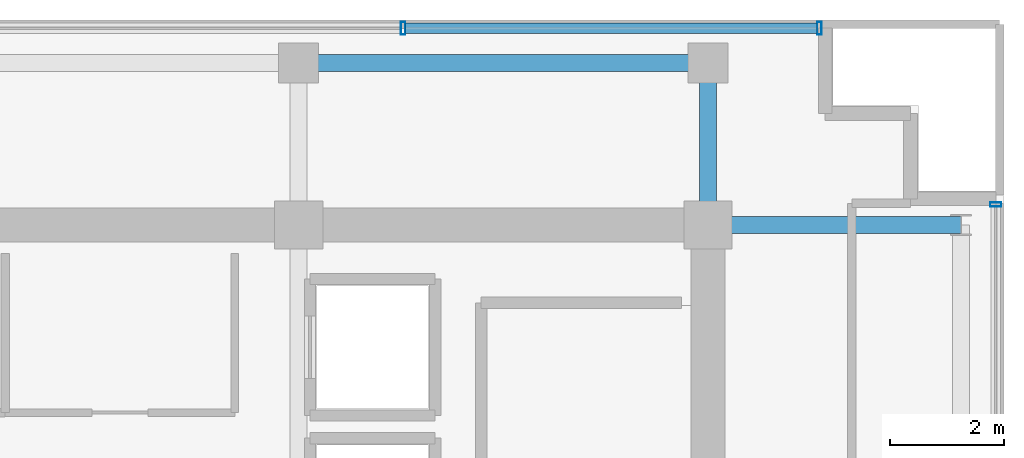
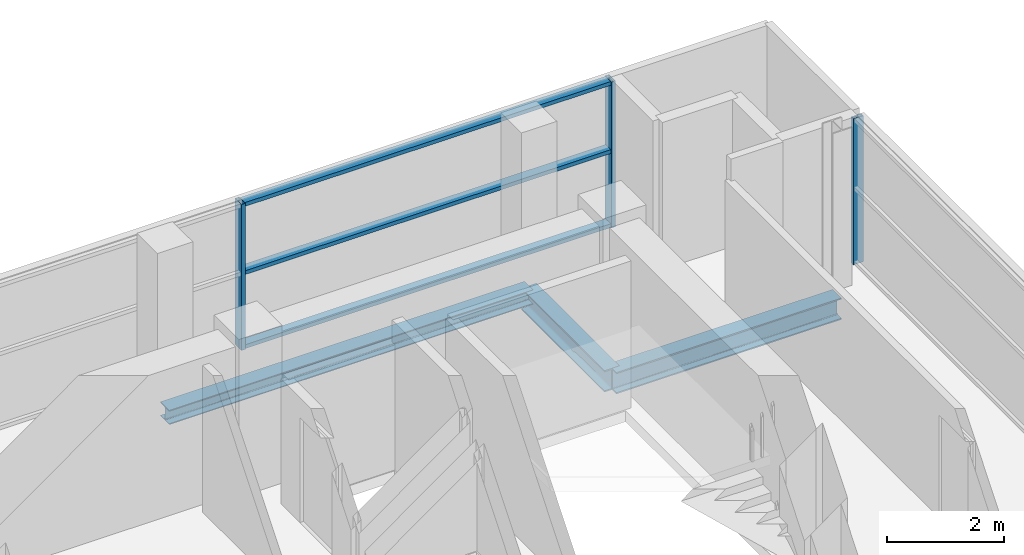
# One storey, part 13 of 22: 6 members, 3 beams, 2 elements without a shape of their own.
"""IFC4 building model written with IfcOpenShell, lengths in metres."""

import ifcopenshell
import ifcopenshell.guid

model = None  # the IFC model being written
_history = None  # IfcOwnerHistory: only IFC2X3 demands one
_inside = {}  # id of a spatial element -> (the spatial element, [elements in it])
_under = {}  # id of a project, library or spatial element -> (it, [spatial elements below it])
_declared = {}  # id of a project -> (the project, [libraries it declares])
_typed = {}  # id of a type object -> (the type object, [elements of that type])
_made_of = {}  # id of a material, layer set ... -> (it, [elements and type objects made of it])


def new_model(schema):
    """Start an empty IFC model of exactly this schema.

    Asked for "IFC4X3", IfcOpenShell would pick the latest addendum, in which some entities
    have other attributes; the version numbers below select the first issue.
    IFC2X3 requires an IfcOwnerHistory on every rooted entity: one is made here for all.
    """
    global model, _history
    if schema == "IFC4X3":
        model = ifcopenshell.file(schema_version=(4, 3, 0, 0))
    else:
        model = ifcopenshell.file(schema=schema)
    _inside.clear()
    _under.clear()
    _declared.clear()
    _typed.clear()
    _made_of.clear()
    _history = None
    if model.schema == "IFC2X3":
        org = make("IfcOrganization", Name="unknown")
        user = make(
            "IfcPersonAndOrganization",
            ThePerson=make("IfcPerson", FamilyName="unknown"),
            TheOrganization=org,
        )
        app = make(
            "IfcApplication",
            ApplicationDeveloper=org,
            Version="unknown",
            ApplicationFullName="unknown",
            ApplicationIdentifier="unknown",
        )
        _history = make(
            "IfcOwnerHistory",
            OwningUser=user,
            OwningApplication=app,
            ChangeAction="ADDED",
            CreationDate=0,
        )
    return model


def make(cls, **values):
    """One entity of the class cls with the attributes given. An attribute that is None is left unset."""
    return model.create_entity(
        cls, **{name: value for name, value in values.items() if value is not None}
    )


def rooted(cls, **values):
    """An entity with a GlobalId (a new one), such as an element, a storey or a relation."""
    return make(cls, GlobalId=ifcopenshell.guid.new(), OwnerHistory=_history, **values)


def si_unit(unit_type, name, prefix=None):
    """IfcSIUnit, for example si_unit("LENGTHUNIT", "METRE", prefix="MILLI")."""
    return make("IfcSIUnit", UnitType=unit_type, Prefix=prefix, Name=name)


def assignment(units):
    """IfcUnitAssignment: the units of a project."""
    return None if units is None else make("IfcUnitAssignment", Units=units)


def point(xyz):
    """IfcCartesianPoint."""
    return None if xyz is None else make("IfcCartesianPoint", Coordinates=xyz)


def direction(xyz):
    """IfcDirection."""
    return None if xyz is None else make("IfcDirection", DirectionRatios=xyz)


def frame(location, z_axis=None, x_axis=None):
    """IfcAxis2Placement3D, a coordinate frame: its origin and axes. An axis left out is left unset."""
    return make(
        "IfcAxis2Placement3D",
        Location=point(location),
        Axis=direction(z_axis),
        RefDirection=direction(x_axis),
    )


def frame_2d(location, x_axis=None):
    """IfcAxis2Placement2D, a coordinate frame in the plane: its origin and x axis."""
    return make(
        "IfcAxis2Placement2D", Location=point(location), RefDirection=direction(x_axis)
    )


def origin():
    """The frame at (0, 0, 0) with its axes left unset."""
    return frame((0.0, 0.0, 0.0))


def origin_2d():
    """The frame at (0, 0) in the plane with its x axis left unset."""
    return frame_2d((0.0, 0.0))


def place(relative_to, where):
    """IfcLocalPlacement: puts the frame where relative to a parent placement (None: the world)."""
    return make(
        "IfcLocalPlacement", PlacementRelTo=relative_to, RelativePlacement=where
    )


def context(
    kind, dimensions, precision=None, world=None, true_north=None, identifier=None
):
    """IfcGeometricRepresentationContext, for example the 3D "Model" context."""
    return make(
        "IfcGeometricRepresentationContext",
        ContextIdentifier=identifier,
        ContextType=kind,
        CoordinateSpaceDimension=dimensions,
        Precision=precision,
        WorldCoordinateSystem=world,
        TrueNorth=true_north,
    )


def subcontext(parent, identifier, kind, view, scale=None):
    """IfcGeometricRepresentationSubContext, for example "Body" below "Model"."""
    return make(
        "IfcGeometricRepresentationSubContext",
        ContextIdentifier=identifier,
        ContextType=kind,
        ParentContext=parent,
        TargetScale=scale,
        TargetView=view,
    )


def project(units=None, contexts=None):
    """IfcProject with its units and contexts."""
    return rooted(
        "IfcProject",
        Name="project",
        RepresentationContexts=contexts,
        UnitsInContext=assignment(units),
    )


def spatial(cls, under=None, at=None, **own):
    """A site, building, storey or space (cls), placed at a placement, below another one or the project."""
    s = rooted(cls, ObjectPlacement=at, **own)
    if under is not None:
        _under.setdefault(under.id(), (under, []))[1].append(s)
    return s


def profile(cls, at=None, kind="AREA", **sizes):
    """A parametric profile (cls). Its sizes go by their IFC names, for example OverallWidth=200.0."""
    return make(cls, ProfileType=kind, Position=at, **sizes)


def hollow_rectangle(**sizes):
    """IfcRectangleHollowProfileDef."""
    return profile("IfcRectangleHollowProfileDef", **sizes)


def i_section(**sizes):
    """IfcIShapeProfileDef."""
    return profile("IfcIShapeProfileDef", **sizes)


def extrude(swept, where, along, depth):
    """IfcExtrudedAreaSolid: the profile swept, set in the frame where, extruded along a direction by depth."""
    return make(
        "IfcExtrudedAreaSolid",
        SweptArea=swept,
        Position=where,
        ExtrudedDirection=direction(along),
        Depth=depth,
    )


def shape(context_of_items, identifier, shape_type, items):
    """IfcShapeRepresentation: the items that make up one representation, for example the "Body"."""
    return make(
        "IfcShapeRepresentation",
        ContextOfItems=context_of_items,
        RepresentationIdentifier=identifier,
        RepresentationType=shape_type,
        Items=items,
    )


def source(mapping_origin, context_of_items, identifier, shape_type, items):
    """IfcRepresentationMap: a shape defined once, which mapped items show again and again."""
    return make(
        "IfcRepresentationMap",
        MappingOrigin=mapping_origin,
        MappedRepresentation=shape(context_of_items, identifier, shape_type, items),
    )


def transform(
    local_origin,
    x_axis=None,
    y_axis=None,
    z_axis=None,
    scale=None,
    scale2=None,
    scale3=None,
    uniform=True,
):
    """IfcCartesianTransformationOperator3D, or its non-uniform kind. x_axis, y_axis, z_axis: its Axis1, 2, 3."""
    if uniform:
        return make(
            "IfcCartesianTransformationOperator3D",
            Axis1=direction(x_axis),
            Axis2=direction(y_axis),
            LocalOrigin=point(local_origin),
            Scale=scale,
            Axis3=direction(z_axis),
        )
    return make(
        "IfcCartesianTransformationOperator3DnonUniform",
        Axis1=direction(x_axis),
        Axis2=direction(y_axis),
        LocalOrigin=point(local_origin),
        Scale=scale,
        Axis3=direction(z_axis),
        Scale2=scale2,
        Scale3=scale3,
    )


def mapped(mapping_source, mapping_target):
    """IfcMappedItem: shows the shape of a source again, moved by a transform."""
    return make(
        "IfcMappedItem", MappingSource=mapping_source, MappingTarget=mapping_target
    )


def material(Name=None, Category=None):
    """IfcMaterial."""
    return make("IfcMaterial", Name=Name, Category=Category)


def layer(
    of_material, thickness, ventilated=None, Name=None, Category=None, Priority=None
):
    """IfcMaterialLayer: one layer of a wall or slab, of a material (None: an air gap)."""
    return make(
        "IfcMaterialLayer",
        Material=of_material,
        LayerThickness=thickness,
        IsVentilated=ventilated,
        Name=Name,
        Category=Category,
        Priority=Priority,
    )


def layer_set(layers, Name=None):
    """IfcMaterialLayerSet."""
    return make("IfcMaterialLayerSet", MaterialLayers=layers, LayerSetName=Name)


def material_profile(
    of_material, cross_section, Name=None, Category=None, Priority=None
):
    """IfcMaterialProfile: a cross section and its material."""
    return make(
        "IfcMaterialProfile",
        Name=Name,
        Material=of_material,
        Profile=cross_section,
        Priority=Priority,
        Category=Category,
    )


def profile_set(profiles, Name=None, composite=None):
    """IfcMaterialProfileSet."""
    return make(
        "IfcMaterialProfileSet",
        Name=Name,
        MaterialProfiles=profiles,
        CompositeProfile=composite,
    )


def made_of(thing, what):
    """Note that an element or type object is made of a material, layer set ...; save() writes the relation."""
    if what is not None:
        _made_of.setdefault(what.id(), (what, []))[1].append(thing)
    return thing


def type_object(cls, material=None, **own):
    """A type object (cls), such as IfcWallType, which elements share."""
    return made_of(rooted(cls, **own), material)


def element(
    cls,
    number,
    at=None,
    inside=None,
    cuts=None,
    type_object=None,
    material=None,
    context=None,
    identifier="Body",
    shape_type=None,
    held_by="IfcProductDefinitionShape",
    body=None,
    shapes=None,
    **own,
):
    """One element of the class cls, such as IfcWall. Its Tag is "e" and its number.

    at: its placement. inside: the storey or other place that contains it. cuts: it is an
    opening in that element (IfcRelVoidsElement). A single representation is given by context,
    identifier, shape_type and body (its items); several are given by shapes. held_by: the class
    of the entity that holds the representations. save() writes the other relations.
    """
    e = rooted(cls, Tag="e%d" % number, ObjectPlacement=at, **own)
    if body is not None:
        shapes = [shape(context, identifier, shape_type, body)]
    if shapes is not None:
        e.Representation = make(held_by, Representations=shapes)
    if inside is not None:
        _inside.setdefault(inside.id(), (inside, []))[1].append(e)
    if cuts is not None:
        rooted(
            "IfcRelVoidsElement", RelatingBuildingElement=cuts, RelatedOpeningElement=e
        )
    if type_object is not None:
        _typed.setdefault(type_object.id(), (type_object, []))[1].append(e)
    return made_of(e, material)


def aggregate(whole, parts):
    """IfcRelAggregates: a whole, such as a stair, and the parts it consists of."""
    return rooted("IfcRelAggregates", RelatingObject=whole, RelatedObjects=parts)


def save(model, path):
    """Write the relations noted so far, then the file.

    IfcRelAggregates (storeys below a building ...), IfcRelContainedInSpatialStructure (elements
    in a storey), IfcRelDefinesByType, IfcRelAssociatesMaterial and IfcRelDeclares: one each for
    every whole, place, type object, material and project.
    """
    for whole, parts in _under.values():
        aggregate(whole, parts)
    for where, things in _inside.values():
        rooted(
            "IfcRelContainedInSpatialStructure",
            RelatedElements=things,
            RelatingStructure=where,
        )
    for kind, things in _typed.values():
        rooted("IfcRelDefinesByType", RelatedObjects=things, RelatingType=kind)
    for what, things in _made_of.values():
        rooted("IfcRelAssociatesMaterial", RelatedObjects=things, RelatingMaterial=what)
    for by, libraries in _declared.values():
        rooted("IfcRelDeclares", RelatingContext=by, RelatedDefinitions=libraries)
    model.write(path)


model = new_model("IFC4")

# Units and contexts
model_context = context("Model", 3, precision=1e-05, world=origin(), true_north=direction((0.0, 1.0)))
body_context = subcontext(model_context, "Body", "Model", "MODEL_VIEW")
ifc_project = project(units=[si_unit("LENGTHUNIT", "METRE"), si_unit("AREAUNIT", "SQUARE_METRE"), si_unit("VOLUMEUNIT", "CUBIC_METRE"), si_unit("PLANEANGLEUNIT", "RADIAN"), si_unit("MASSUNIT", "GRAM", prefix="KILO")], contexts=[model_context])

# Site, building, storey
site_placement = place(None, origin())
site = spatial("IfcSite", under=ifc_project, at=site_placement, CompositionType="ELEMENT")
building_placement = place(site_placement, origin())
building = spatial("IfcBuilding", under=site, at=building_placement, Name="Zarnakvel Exchange Tower", CompositionType="ELEMENT")
storey_placement = place(building_placement, frame((0.0, 0.0, 222.10009765625)))
storey = spatial("IfcBuildingStorey", under=building, at=storey_placement, Name="L62", CompositionType="ELEMENT", Elevation=222.10009765625)

# Beams
ifc_material_1 = material(Name="Steel S355", Category="steel")
ifc_material_profile_1 = material_profile(ifc_material_1, i_section(OverallWidth=0.300048828125, OverallDepth=0.449951171875, WebThickness=0.013916015625, FlangeThickness=0.02587890625, FilletRadius=0.027099609375, at=origin_2d()))
ifc_profile_set_1 = profile_set([ifc_material_profile_1], Name="Steel S355")
beam_type_1 = type_object("IfcBeamType", Name="G-07", PredefinedType="BEAM", material=ifc_profile_set_1)
beam_1_placement = place(storey_placement, frame((14.39990234375, 13.5, -0.4501953125), z_axis=(1.0, 0.0, 0.0), x_axis=(0.0, 1.0, 0.0)))
element("IfcBeam", 1, at=beam_1_placement, inside=storey, type_object=beam_type_1, Name="L62 Tower E-W Frame Beam", PredefinedType="BEAM", context=body_context, shape_type="SweptSolid", body=[
    extrude(i_section(OverallWidth=0.300048828125, OverallDepth=0.449951171875, WebThickness=0.013916015625, FlangeThickness=0.02587890625, FilletRadius=0.027099609375, at=origin_2d()), origin(), (0.0, 0.0, 1.0), 4.4501953125),
])
beam_2_placement = place(storey_placement, frame((14.39990234375, 13.5, -0.4501953125), z_axis=(0.0, 1.0, 0.0), x_axis=(-1.0, 0.0, 0.0)))
element("IfcBeam", 2, at=beam_2_placement, inside=storey, type_object=beam_type_1, Name="L62 Tower N-S Frame Beam", PredefinedType="BEAM", context=body_context, shape_type="SweptSolid", body=[
    extrude(i_section(OverallWidth=0.300048828125, OverallDepth=0.449951171875, WebThickness=0.013916015625, FlangeThickness=0.02587890625, FilletRadius=0.027099609375, at=origin_2d()), origin(), (0.0, 0.0, 1.0), 2.85009765625),
])
ifc_material_profile_2 = material_profile(ifc_material_1, i_section(OverallWidth=0.300048828125, OverallDepth=0.300048828125, WebThickness=0.010986328125, FlangeThickness=0.01904296875, FilletRadius=0.027099609375, at=origin_2d()))
ifc_profile_set_2 = profile_set([ifc_material_profile_2], Name="Steel S355")
beam_type_2 = type_object("IfcBeamType", Name="SP-03", PredefinedType="SPANDREL", material=ifc_profile_set_2)
beam_3_placement = place(storey_placement, frame((7.199951171875, 16.35009765625, -0.375), z_axis=(1.0, 0.0, 0.0), x_axis=(0.0, 1.0, 0.0)))
element("IfcBeam", 3, at=beam_3_placement, inside=storey, type_object=beam_type_2, Name="L62 Tower E-W Frame Beam", PredefinedType="SPANDREL", context=body_context, shape_type="SweptSolid", body=[
    extrude(i_section(OverallWidth=0.300048828125, OverallDepth=0.300048828125, WebThickness=0.010986328125, FlangeThickness=0.01904296875, FilletRadius=0.027099609375, at=origin_2d()), origin(), (0.0, 0.0, 1.0), 7.199951171875),
])

# Curtain wall, member
ifc_material_2 = material(Name="Architectural Bronze Anodised Aluminium", Category="aluminium")
ifc_layer_1 = layer(ifc_material_2, 0.199951171875)
ifc_layer_set_1 = layer_set([ifc_layer_1], Name="Architectural Bronze Anodised Aluminium")
curtain_wall_type_1 = type_object("IfcCurtainWallType", Name="CW-04", PredefinedType="NOTDEFINED", material=ifc_layer_set_1)
curtain_wall_1_placement = place(storey_placement, origin())
curtain_wall_1 = element("IfcCurtainWall", 4, at=curtain_wall_1_placement, inside=storey, type_object=curtain_wall_type_1, Name="L62 Curtain Wall CW-L62-E1 (CW-04)", PredefinedType="NOTDEFINED")
ifc_material_profile_3 = material_profile(ifc_material_2, hollow_rectangle(XDim=0.199951171875, YDim=0.074951171875, WallThickness=0.0048828125, at=origin_2d()))
ifc_profile_set_3 = profile_set([ifc_material_profile_3], Name="Architectural Bronze Anodised Aluminium")
member_type_1 = type_object("IfcMemberType", Name="CWM-04", PredefinedType="MULLION", material=ifc_profile_set_3)
shared_shape_1 = source(origin(), body_context, "Body", "SweptSolid", [
    extrude(hollow_rectangle(XDim=0.199951171875, YDim=0.074951171875, WallThickness=0.0048828125, at=origin_2d()), origin(), (0.0, 0.0, 1.0), 3.054931640625),
])
member_1_placement = place(storey_placement, frame((19.4599609375, 13.862548828125, 0.0), z_axis=(0.0, 0.0, 1.0), x_axis=(-1.0, 0.0, 0.0)))
member_1 = element("IfcMember", 5, at=member_1_placement, type_object=member_type_1, Name="CW-04 mullion 5", PredefinedType="MULLION", context=body_context, shape_type="MappedRepresentation", body=[
    mapped(shared_shape_1, transform((0.0, 0.0, 0.0), x_axis=(1.0, 0.0, 0.0), y_axis=(0.0, 1.0, 0.0), z_axis=(0.0, 0.0, 1.0), scale=1.0)),
])
aggregate(curtain_wall_1, [member_1])

# Curtain wall, members
ifc_layer_2 = layer(ifc_material_2, 0.219970703125)
ifc_layer_set_2 = layer_set([ifc_layer_2], Name="Architectural Bronze Anodised Aluminium")
curtain_wall_type_2 = type_object("IfcCurtainWallType", Name="CW-03", PredefinedType="NOTDEFINED", material=ifc_layer_set_2)
curtain_wall_2_placement = place(storey_placement, origin())
curtain_wall_2 = element("IfcCurtainWall", 6, at=curtain_wall_2_placement, inside=storey, type_object=curtain_wall_type_2, Name="L62 Curtain Wall CW-L62-N1 (CW-03)", PredefinedType="NOTDEFINED")
ifc_material_profile_4 = material_profile(ifc_material_2, hollow_rectangle(XDim=0.219970703125, YDim=0.080078125, WallThickness=0.0048828125, at=origin_2d()))
ifc_profile_set_4 = profile_set([ifc_material_profile_4], Name="Architectural Bronze Anodised Aluminium")
member_type_2 = type_object("IfcMemberType", Name="CWM-03", PredefinedType="MULLION", material=ifc_profile_set_4)
shared_shape_2 = source(origin(), body_context, "Body", "SweptSolid", [
    extrude(hollow_rectangle(XDim=0.219970703125, YDim=0.080078125, WallThickness=0.0048828125, at=origin_2d()), origin(), (0.0, 0.0, 1.0), 3.054931640625),
])
member_2_placement = place(storey_placement, frame((9.0400390625, 16.9599609375, 0.0), z_axis=(0.0, 0.0, 1.0), x_axis=(0.0, 1.0, 0.0)))
member_2 = element("IfcMember", 7, at=member_2_placement, type_object=member_type_2, Name="CW-03 mullion 5", PredefinedType="MULLION", context=body_context, shape_type="MappedRepresentation", body=[
    mapped(shared_shape_2, transform((0.0, 0.0, 0.0), x_axis=(1.0, 0.0, 0.0), y_axis=(0.0, 1.0, 0.0), z_axis=(0.0, 0.0, 1.0), scale=1.0)),
])
member_3_placement = place(storey_placement, frame((16.360107421875, 16.9599609375, 0.0), z_axis=(0.0, 0.0, 1.0), x_axis=(0.0, 1.0, 0.0)))
member_3 = element("IfcMember", 8, at=member_3_placement, type_object=member_type_2, Name="CW-03 mullion 6", PredefinedType="MULLION", context=body_context, shape_type="MappedRepresentation", body=[
    mapped(shared_shape_2, transform((0.0, 0.0, 0.0), x_axis=(1.0, 0.0, 0.0), y_axis=(0.0, 1.0, 0.0), z_axis=(0.0, 0.0, 1.0), scale=1.0)),
])
ifc_material_profile_5 = material_profile(ifc_material_2, hollow_rectangle(XDim=0.179931640625, YDim=0.080078125, WallThickness=0.00390625, at=origin_2d()))
ifc_profile_set_5 = profile_set([ifc_material_profile_5], Name="Architectural Bronze Anodised Aluminium")
member_type_3 = type_object("IfcMemberType", Name="CWT-03", PredefinedType="USERDEFINED", material=ifc_profile_set_5)
shared_shape_3 = source(origin(), body_context, "Body", "SweptSolid", [
    extrude(hollow_rectangle(XDim=0.179931640625, YDim=0.080078125, WallThickness=0.00390625, at=origin_2d()), origin(), (0.0, 0.0, 1.0), 7.239990234375),
])
member_4_placement = place(storey_placement, frame((9.080078125, 16.9599609375, 0.039794921875), z_axis=(1.0, 0.0, 0.0), x_axis=(0.0, 1.0, 0.0)))
member_4 = element("IfcMember", 9, at=member_4_placement, type_object=member_type_3, Name="CW-03 transom 5.1", ObjectType="TRANSOM", PredefinedType="USERDEFINED", context=body_context, shape_type="MappedRepresentation", body=[
    mapped(shared_shape_3, transform((0.0, 0.0, 0.0), x_axis=(1.0, 0.0, 0.0), y_axis=(0.0, 1.0, 0.0), z_axis=(0.0, 0.0, 1.0), scale=1.0)),
])
member_5_placement = place(storey_placement, frame((9.080078125, 16.9599609375, 1.588623046875), z_axis=(1.0, 0.0, 0.0), x_axis=(0.0, 1.0, 0.0)))
member_5 = element("IfcMember", 10, at=member_5_placement, type_object=member_type_3, Name="CW-03 transom 5.2", ObjectType="TRANSOM", PredefinedType="USERDEFINED", context=body_context, shape_type="MappedRepresentation", body=[
    mapped(shared_shape_3, transform((0.0, 0.0, 0.0), x_axis=(1.0, 0.0, 0.0), y_axis=(0.0, 1.0, 0.0), z_axis=(0.0, 0.0, 1.0), scale=1.0)),
])
member_6_placement = place(storey_placement, frame((9.080078125, 16.9599609375, 3.014892578125), z_axis=(1.0, 0.0, 0.0), x_axis=(0.0, 1.0, 0.0)))
member_6 = element("IfcMember", 11, at=member_6_placement, type_object=member_type_3, Name="CW-03 transom 5.3", ObjectType="TRANSOM", PredefinedType="USERDEFINED", context=body_context, shape_type="MappedRepresentation", body=[
    mapped(shared_shape_3, transform((0.0, 0.0, 0.0), x_axis=(1.0, 0.0, 0.0), y_axis=(0.0, 1.0, 0.0), z_axis=(0.0, 0.0, 1.0), scale=1.0)),
])
aggregate(curtain_wall_2, [member_2, member_3, member_4, member_5, member_6])

save(model, "model.ifc")
